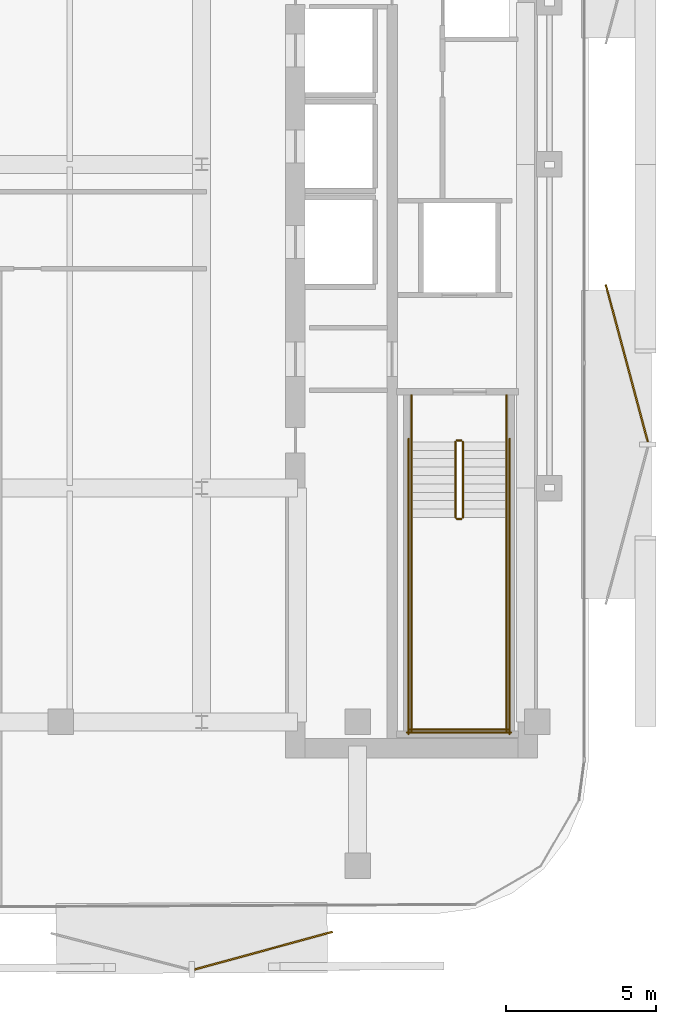
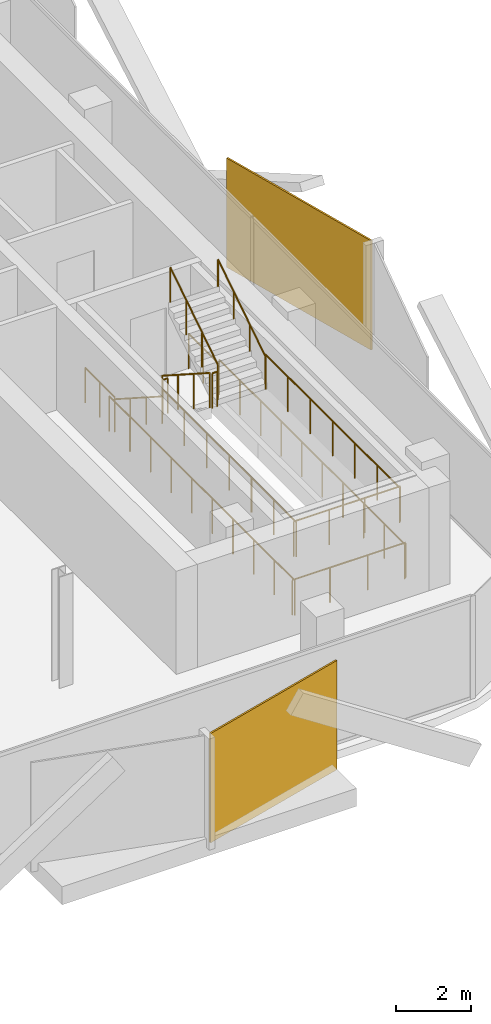
# One storey, part 10 of 11: 14 railings, 2 coverings.
"""IFC4 building model written with IfcOpenShell, lengths in metres."""

from ifc_helpers import new_model, si_unit, direction, frame, origin, origin_2d, place, context, subcontext, project, spatial, rectangle, circle, extrude, material, layer, layer_set, type_object, element, save


model = new_model("IFC4")

# Units and contexts
model_context = context("Model", 3, precision=1e-05, world=origin(), true_north=direction((0.0, 1.0)))
body_context = subcontext(model_context, "Body", "Model", "MODEL_VIEW")
ifc_project = project(units=[si_unit("LENGTHUNIT", "METRE"), si_unit("AREAUNIT", "SQUARE_METRE"), si_unit("VOLUMEUNIT", "CUBIC_METRE"), si_unit("PLANEANGLEUNIT", "RADIAN"), si_unit("MASSUNIT", "GRAM", prefix="KILO")], contexts=[model_context])

# Site, building, storey
site_placement = place(None, origin())
site = spatial("IfcSite", under=ifc_project, at=site_placement, CompositionType="ELEMENT")
building_placement = place(site_placement, origin())
building = spatial("IfcBuilding", under=site, at=building_placement, Name="Khairoan Windgate Tower", CompositionType="ELEMENT")
storey_placement = place(building_placement, frame((0.0, 0.0, 222.39990234375)))
storey = spatial("IfcBuildingStorey", under=building, at=storey_placement, Name="L51", CompositionType="ELEMENT", Elevation=222.39990234375)

# Coverings
ifc_material_1 = material(Name="Anodised Bronze Aluminium 6063-T6", Category="aluminium")
ifc_layer = layer(ifc_material_1, 0.054931640625, Name="Anodised Bronze Aluminium 6063-T6")
ifc_layer_set = layer_set([ifc_layer], Name="Anodised Bronze Aluminium 6063-T6")
covering_type = type_object("IfcCoveringType", Name="Perforated Bronze-Ceramic Folded Solar Screen Cladding BSC-1", PredefinedType="CLADDING", material=ifc_layer_set)
covering_1_placement = place(storey_placement, frame((11.264404296875, -26.226806640625, -0.099853515625), z_axis=(0.0, 0.0, 1.0), x_axis=(-0.964649468762, -0.263536339841, 0.0)))
element("IfcCovering", 1, at=covering_1_placement, inside=storey, type_object=covering_type, Name="L51 Folded Bronze Solar Screen Facet 337L", PredefinedType="CLADDING", context=body_context, shape_type="SweptSolid", body=[
    extrude(rectangle(XDim=4.76708984375, YDim=0.054931640625, at=origin_2d()), origin(), (0.0, 0.0, 1.0), 3.5400390625),
])
covering_2_placement = place(storey_placement, frame((23.378662109375, -6.6376953125, -0.099853515625), z_axis=(0.0, 0.0, 1.0), x_axis=(0.258819045103, -0.965925826289, 0.0)))
element("IfcCovering", 2, at=covering_2_placement, inside=storey, type_object=covering_type, Name="L51 Folded Bronze Solar Screen Facet 344L", PredefinedType="CLADDING", context=body_context, shape_type="SweptSolid", body=[
    extrude(rectangle(XDim=5.419921875, YDim=0.054931640625, at=origin_2d()), origin(), (0.0, 0.0, 1.0), 3.5400390625),
])

# Railings
ifc_material_2 = material(Name="Anodised Bronze Aluminium 6063-T6", Category="aluminium")
railing_type_1 = type_object("IfcRailingType", Name="Stair Wall Handrail SHR-900", PredefinedType="HANDRAIL", material=ifc_material_2)
railing_1_placement = place(storey_placement, frame((16.199951171875, -9.260009765625, 0.18017578125)))
element("IfcRailing", 3, at=railing_1_placement, inside=storey, type_object=railing_type_1, Name="L51 ST1 stair handrail 1", PredefinedType="HANDRAIL", context=body_context, shape_type="SweptSolid", body=[
    extrude(circle(Radius=0.02392578125, at=origin_2d()), frame((0.0, 0.0, 0.8759765625), z_axis=(0.0, -0.841199657755, 0.540724639528), x_axis=(1.0, 0.0, 0.0)), (0.0, 0.0, 1.0), 2.995849609375),
    extrude(circle(Radius=0.02099609375, at=origin_2d()), origin(), (0.0, 0.0, 1.0), 0.851806640625),
    extrude(circle(Radius=0.02099609375, at=origin_2d()), frame((0.0, -0.840087890625, 0.5400390625)), (0.0, 0.0, 1.0), 0.851806640625),
    extrude(circle(Radius=0.02099609375, at=origin_2d()), frame((0.0, -1.679931640625, 1.079833984375)), (0.0, 0.0, 1.0), 0.851806640625),
    extrude(circle(Radius=0.02099609375, at=origin_2d()), frame((0.0, -2.52001953125, 1.619873046875)), (0.0, 0.0, 1.0), 0.851806640625),
])
railing_2_placement = place(storey_placement, frame((19.3701171875, -11.780029296875, 1.97998046875)))
element("IfcRailing", 4, at=railing_2_placement, inside=storey, type_object=railing_type_1, Name="L51 ST1 stair handrail 2", PredefinedType="HANDRAIL", context=body_context, shape_type="SweptSolid", body=[
    extrude(circle(Radius=0.02392578125, at=origin_2d()), frame((0.0, 0.0, 0.8759765625), z_axis=(0.0, 0.841162588446, 0.540782303519), x_axis=(-1.0, 0.0, 0.0)), (0.0, 0.0, 1.0), 2.995849609375),
    extrude(circle(Radius=0.02099609375, at=origin_2d()), origin(), (0.0, 0.0, 1.0), 0.851806640625),
    extrude(circle(Radius=0.02099609375, at=origin_2d()), frame((0.0, 0.840087890625, 0.5400390625)), (0.0, 0.0, 1.0), 0.851806640625),
    extrude(circle(Radius=0.02099609375, at=origin_2d()), frame((0.0, 1.679931640625, 1.080078125)), (0.0, 0.0, 1.0), 0.851806640625),
    extrude(circle(Radius=0.02099609375, at=origin_2d()), frame((0.0, 2.52001953125, 1.6201171875)), (0.0, 0.0, 1.0), 0.851806640625),
])
ifc_material_3 = material(Name="Steel S355", Category="steel")
railing_type_2 = type_object("IfcRailingType", Name="Stairwell Safety Guardrail SGR-1150", PredefinedType="GUARDRAIL", material=ifc_material_3)
railing_3_placement = place(storey_placement, frame((17.659912109375, -9.260009765625, 0.18017578125)))
element("IfcRailing", 5, at=railing_3_placement, inside=storey, type_object=railing_type_2, Name="L51 ST1 stair guard 1", PredefinedType="GUARDRAIL", context=body_context, shape_type="SweptSolid", body=[
    extrude(circle(Radius=0.02392578125, at=origin_2d()), frame((0.0, 0.0, 1.1259765625), z_axis=(0.0, -0.841199657755, 0.540724639528), x_axis=(1.0, 0.0, 0.0)), (0.0, 0.0, 1.0), 2.995849609375),
    extrude(circle(Radius=0.02099609375, at=origin_2d()), origin(), (0.0, 0.0, 1.0), 1.101806640625),
    extrude(circle(Radius=0.02099609375, at=origin_2d()), frame((0.0, -0.840087890625, 0.5400390625)), (0.0, 0.0, 1.0), 1.101806640625),
    extrude(circle(Radius=0.02099609375, at=origin_2d()), frame((0.0, -1.679931640625, 1.079833984375)), (0.0, 0.0, 1.0), 1.101806640625),
    extrude(circle(Radius=0.02099609375, at=origin_2d()), frame((0.0, -2.52001953125, 1.619873046875)), (0.0, 0.0, 1.0), 1.101806640625),
])
railing_4_placement = place(storey_placement, frame((17.7099609375, -11.830078125, 1.800048828125)))
element("IfcRailing", 6, at=railing_4_placement, inside=storey, type_object=railing_type_2, Name="L51 ST1 stair guard 2", PredefinedType="GUARDRAIL", context=body_context, shape_type="SweptSolid", body=[
    extrude(circle(Radius=0.02392578125, at=origin_2d()), frame((0.0, 0.0, 1.1259765625), z_axis=(1.0, 0.0, 0.0), x_axis=(0.0, 1.0, 0.0)), (0.0, 0.0, 1.0), 0.150146484375),
    extrude(circle(Radius=0.02099609375, at=origin_2d()), origin(), (0.0, 0.0, 1.0), 1.101806640625),
    extrude(circle(Radius=0.02099609375, at=origin_2d()), frame((0.150146484375, 0.0, 0.0)), (0.0, 0.0, 1.0), 1.101806640625),
])
for number, where, name in (
    (7, (16.199951171875, -11.780029296875, 1.800048828125), "L51 ST1 stair guard 3"),
    (8, (19.3701171875, -11.780029296875, 1.800048828125), "L51 ST1 stair guard 4"),
):
    element("IfcRailing", number, at=place(storey_placement, frame(where)), inside=storey, type_object=railing_type_2, Name=name, PredefinedType="GUARDRAIL", context=body_context, shape_type="SweptSolid", body=[
        extrude(circle(Radius=0.02392578125, at=origin_2d()), frame((0.0, 0.0, 1.1259765625), z_axis=(0.0, -1.0, 0.0), x_axis=(1.0, 0.0, 0.0)), (0.0, 0.0, 1.0), 7.119873046875),
        extrude(circle(Radius=0.02099609375, at=origin_2d()), origin(), (0.0, 0.0, 1.0), 1.101806640625),
        extrude(circle(Radius=0.02099609375, at=origin_2d()), frame((0.0, -1.1865234375, 0.0)), (0.0, 0.0, 1.0), 1.101806640625),
        extrude(circle(Radius=0.02099609375, at=origin_2d()), frame((0.0, -2.373291015625, 0.0)), (0.0, 0.0, 1.0), 1.101806640625),
        extrude(circle(Radius=0.02099609375, at=origin_2d()), frame((0.0, -3.56005859375, 0.0)), (0.0, 0.0, 1.0), 1.101806640625),
        extrude(circle(Radius=0.02099609375, at=origin_2d()), frame((0.0, -4.74658203125, 0.0)), (0.0, 0.0, 1.0), 1.101806640625),
        extrude(circle(Radius=0.02099609375, at=origin_2d()), frame((0.0, -5.93310546875, 0.0)), (0.0, 0.0, 1.0), 1.101806640625),
        extrude(circle(Radius=0.02099609375, at=origin_2d()), frame((0.0, -7.119873046875, 0.0)), (0.0, 0.0, 1.0), 1.101806640625),
    ])
railing_5_placement = place(storey_placement, frame((16.14990234375, -18.85009765625, 1.800048828125)))
element("IfcRailing", 9, at=railing_5_placement, inside=storey, type_object=railing_type_2, Name="L51 ST1 stair guard 5", PredefinedType="GUARDRAIL", context=body_context, shape_type="SweptSolid", body=[
    extrude(circle(Radius=0.02392578125, at=origin_2d()), frame((0.0, 0.0, 1.1259765625), z_axis=(1.0, 0.0, 0.0), x_axis=(0.0, 1.0, 0.0)), (0.0, 0.0, 1.0), 3.27001953125),
    extrude(circle(Radius=0.02099609375, at=origin_2d()), origin(), (0.0, 0.0, 1.0), 1.101806640625),
    extrude(circle(Radius=0.02099609375, at=origin_2d()), frame((1.090087890625, 0.0, 0.0)), (0.0, 0.0, 1.0), 1.101806640625),
    extrude(circle(Radius=0.02099609375, at=origin_2d()), frame((2.179931640625, 0.0, 0.0)), (0.0, 0.0, 1.0), 1.101806640625),
    extrude(circle(Radius=0.02099609375, at=origin_2d()), frame((3.27001953125, 0.0, 0.0)), (0.0, 0.0, 1.0), 1.101806640625),
])
railing_6_placement = place(storey_placement, frame((17.909912109375, -11.780029296875, 1.97998046875)))
element("IfcRailing", 10, at=railing_6_placement, inside=storey, type_object=railing_type_2, Name="L51 ST1 stair guard 6", PredefinedType="GUARDRAIL", context=body_context, shape_type="SweptSolid", body=[
    extrude(circle(Radius=0.02392578125, at=origin_2d()), frame((0.0, 0.0, 1.1259765625), z_axis=(0.0, 0.841162588446, 0.540782303519), x_axis=(-1.0, 0.0, 0.0)), (0.0, 0.0, 1.0), 2.995849609375),
    extrude(circle(Radius=0.02099609375, at=origin_2d()), origin(), (0.0, 0.0, 1.0), 1.101806640625),
    extrude(circle(Radius=0.02099609375, at=origin_2d()), frame((0.0, 0.840087890625, 0.5400390625)), (0.0, 0.0, 1.0), 1.101806640625),
    extrude(circle(Radius=0.02099609375, at=origin_2d()), frame((0.0, 1.679931640625, 1.080078125)), (0.0, 0.0, 1.0), 1.101806640625),
    extrude(circle(Radius=0.02099609375, at=origin_2d()), frame((0.0, 2.52001953125, 1.6201171875)), (0.0, 0.0, 1.0), 1.101806640625),
])
railing_7_placement = place(storey_placement, frame((17.7099609375, -9.2099609375, 0.0)))
element("IfcRailing", 11, at=railing_7_placement, inside=storey, type_object=railing_type_2, Name="L51 ST1 stair guard 7", PredefinedType="GUARDRAIL", context=body_context, shape_type="SweptSolid", body=[
    extrude(circle(Radius=0.02392578125, at=origin_2d()), frame((0.0, 0.0, 1.1259765625), z_axis=(1.0, 0.0, 0.0), x_axis=(0.0, 1.0, 0.0)), (0.0, 0.0, 1.0), 0.150146484375),
    extrude(circle(Radius=0.02099609375, at=origin_2d()), origin(), (0.0, 0.0, 1.0), 1.101806640625),
    extrude(circle(Radius=0.02099609375, at=origin_2d()), frame((0.150146484375, 0.0, 0.0)), (0.0, 0.0, 1.0), 1.101806640625),
])
for number, where, name in (
    (12, (16.199951171875, -7.699951171875, 0.0), "L51 ST1 stair guard 8"),
    (13, (19.3701171875, -7.699951171875, 0.0), "L51 ST1 stair guard 9"),
):
    element("IfcRailing", number, at=place(storey_placement, frame(where)), inside=storey, type_object=railing_type_2, Name=name, PredefinedType="GUARDRAIL", context=body_context, shape_type="SweptSolid", body=[
        extrude(circle(Radius=0.02392578125, at=origin_2d()), frame((0.0, 0.0, 1.1259765625), z_axis=(0.0, -1.0, 0.0), x_axis=(1.0, 0.0, 0.0)), (0.0, 0.0, 1.0), 1.56005859375),
        extrude(circle(Radius=0.02099609375, at=origin_2d()), origin(), (0.0, 0.0, 1.0), 1.101806640625),
        extrude(circle(Radius=0.02099609375, at=origin_2d()), frame((0.0, -0.780029296875, 0.0)), (0.0, 0.0, 1.0), 1.101806640625),
        extrude(circle(Radius=0.02099609375, at=origin_2d()), frame((0.0, -1.56005859375, 0.0)), (0.0, 0.0, 1.0), 1.101806640625),
    ])
for number, where, name in (
    (14, (16.10009765625, -9.159912109375, 0.0), "L51 ST1 stair guard 10"),
    (15, (19.469970703125, -9.159912109375, 0.0), "L51 ST1 stair guard 11"),
):
    element("IfcRailing", number, at=place(storey_placement, frame(where)), inside=storey, type_object=railing_type_2, Name=name, PredefinedType="GUARDRAIL", context=body_context, shape_type="SweptSolid", body=[
        extrude(circle(Radius=0.02392578125, at=origin_2d()), frame((0.0, 0.0, 1.1259765625), z_axis=(0.0, -1.0, 0.0), x_axis=(1.0, 0.0, 0.0)), (0.0, 0.0, 1.0), 9.840087890625),
        extrude(circle(Radius=0.02099609375, at=origin_2d()), origin(), (0.0, 0.0, 1.0), 1.101806640625),
        extrude(circle(Radius=0.02099609375, at=origin_2d()), frame((0.0, -1.09326171875, 0.0)), (0.0, 0.0, 1.0), 1.101806640625),
        extrude(circle(Radius=0.02099609375, at=origin_2d()), frame((0.0, -2.186767578125, 0.0)), (0.0, 0.0, 1.0), 1.101806640625),
        extrude(circle(Radius=0.02099609375, at=origin_2d()), frame((0.0, -3.280029296875, 0.0)), (0.0, 0.0, 1.0), 1.101806640625),
        extrude(circle(Radius=0.02099609375, at=origin_2d()), frame((0.0, -4.373291015625, 0.0)), (0.0, 0.0, 1.0), 1.101806640625),
        extrude(circle(Radius=0.02099609375, at=origin_2d()), frame((0.0, -5.466796875, 0.0)), (0.0, 0.0, 1.0), 1.101806640625),
        extrude(circle(Radius=0.02099609375, at=origin_2d()), frame((0.0, -6.56005859375, 0.0)), (0.0, 0.0, 1.0), 1.101806640625),
        extrude(circle(Radius=0.02099609375, at=origin_2d()), frame((0.0, -7.6533203125, 0.0)), (0.0, 0.0, 1.0), 1.101806640625),
        extrude(circle(Radius=0.02099609375, at=origin_2d()), frame((0.0, -8.746826171875, 0.0)), (0.0, 0.0, 1.0), 1.101806640625),
        extrude(circle(Radius=0.02099609375, at=origin_2d()), frame((0.0, -9.840087890625, 0.0)), (0.0, 0.0, 1.0), 1.101806640625),
    ])
railing_8_placement = place(storey_placement, frame((16.050048828125, -18.949951171875, 0.0)))
element("IfcRailing", 16, at=railing_8_placement, inside=storey, type_object=railing_type_2, Name="L51 ST1 stair guard 12", PredefinedType="GUARDRAIL", context=body_context, shape_type="SweptSolid", body=[
    extrude(circle(Radius=0.02392578125, at=origin_2d()), frame((0.0, 0.0, 1.1259765625), z_axis=(1.0, 0.0, 0.0), x_axis=(0.0, 1.0, 0.0)), (0.0, 0.0, 1.0), 3.469970703125),
    extrude(circle(Radius=0.02099609375, at=origin_2d()), origin(), (0.0, 0.0, 1.0), 1.101806640625),
    extrude(circle(Radius=0.02099609375, at=origin_2d()), frame((1.15673828125, 0.0, 0.0)), (0.0, 0.0, 1.0), 1.101806640625),
    extrude(circle(Radius=0.02099609375, at=origin_2d()), frame((2.313232421875, 0.0, 0.0)), (0.0, 0.0, 1.0), 1.101806640625),
    extrude(circle(Radius=0.02099609375, at=origin_2d()), frame((3.469970703125, 0.0, 0.0)), (0.0, 0.0, 1.0), 1.101806640625),
])

save(model, "model.ifc")
